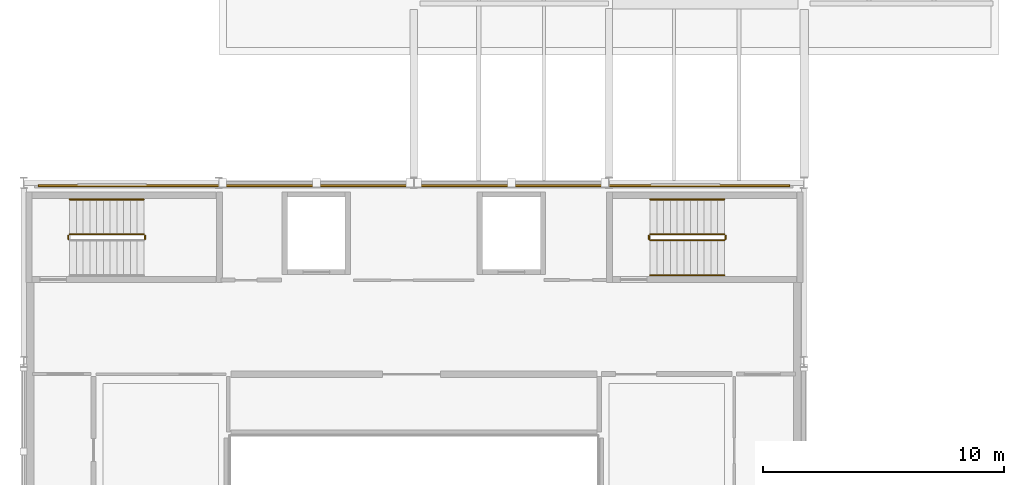
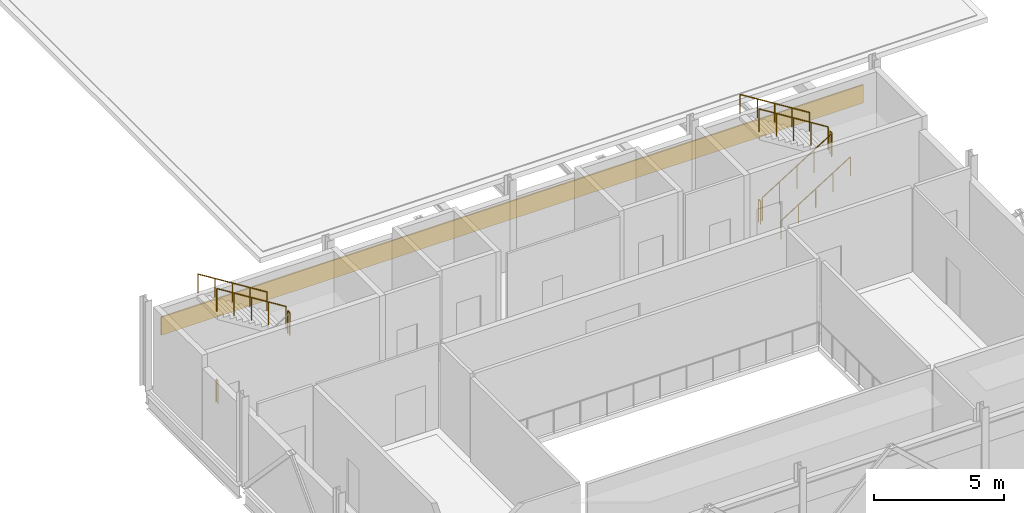
# One storey, part 6 of 7: 10 railings, 1 covering.
"""IFC4 building model written with IfcOpenShell, lengths in metres."""

from ifc_helpers import new_model, si_unit, direction, frame, origin, origin_2d, place, context, subcontext, project, spatial, rectangle, circle, extrude, material, layer, layer_set, type_object, element, save


model = new_model("IFC4")

# Units and contexts
model_context = context("Model", 3, precision=1e-05, world=origin(), true_north=direction((0.0, 1.0)))
body_context = subcontext(model_context, "Body", "Model", "MODEL_VIEW")
ifc_project = project(units=[si_unit("LENGTHUNIT", "METRE"), si_unit("AREAUNIT", "SQUARE_METRE"), si_unit("VOLUMEUNIT", "CUBIC_METRE"), si_unit("PLANEANGLEUNIT", "RADIAN"), si_unit("MASSUNIT", "GRAM", prefix="KILO")], contexts=[model_context])

# Site, building, storey
site_placement = place(None, origin())
site = spatial("IfcSite", under=ifc_project, at=site_placement, CompositionType="ELEMENT")
building_placement = place(site_placement, origin())
building = spatial("IfcBuilding", under=site, at=building_placement, Name="Kaelora Sail Theatre", CompositionType="ELEMENT")
storey_placement = place(building_placement, frame((0.0, 0.0, 23.39990234375)))
storey = spatial("IfcBuildingStorey", under=building, at=storey_placement, Name="L05", CompositionType="ELEMENT", Elevation=23.39990234375)

# Covering
ifc_material_1 = material(Name="Warm terracotta acoustic Postmodern facade entablature", Category="masonry")
ifc_layer = layer(ifc_material_1, 0.06494140625)
ifc_layer_set = layer_set([ifc_layer], Name="Warm terracotta acoustic Postmodern facade entablature")
covering_type = type_object("IfcCoveringType", Name="ARC-COV-TRC", PredefinedType="CLADDING", material=ifc_layer_set)
covering_placement = place(storey_placement, frame((42.0, 83.219970703125, 2.324951171875), z_axis=(0.0, 0.0, 1.0), x_axis=(1.0, 0.0, 0.0)))
element("IfcCovering", 1, at=covering_placement, inside=storey, type_object=covering_type, Name="Fly Tower North Terracotta Frieze Band (L05)", PredefinedType="CLADDING", context=body_context, shape_type="SweptSolid", body=[
    extrude(rectangle(XDim=31.199951171875, YDim=0.06494140625, at=origin_2d()), origin(), (0.0, 0.0, 1.0), 0.85009765625),
])

# Railings
ifc_material_2 = material(Name="Painted steel and laminated safety glass guard", Category="steel")
railing_type_1 = type_object("IfcRailingType", Name="ARC-RL-GRD", PredefinedType="GUARDRAIL", material=ifc_material_2)
railing_1_placement = place(storey_placement, frame((30.840087890625, 81.0, 2.10009765625)))
element("IfcRailing", 2, at=railing_1_placement, inside=storey, type_object=railing_type_1, Name="L05 ST-K1 stair guard 2", PredefinedType="GUARDRAIL", context=body_context, shape_type="SweptSolid", body=[
    extrude(circle(Radius=0.02392578125, at=origin_2d()), frame((0.0, 0.0, 1.076171875), z_axis=(0.0, 1.0, 0.0), x_axis=(-1.0, 0.0, 0.0)), (0.0, 0.0, 1.0), 0.14990234375),
    extrude(circle(Radius=0.02099609375, at=origin_2d()), origin(), (0.0, 0.0, 1.0), 1.052001953125),
    extrude(circle(Radius=0.02099609375, at=origin_2d()), frame((0.0, 0.14990234375, 0.0)), (0.0, 0.0, 1.0), 1.052001953125),
])
railing_2_placement = place(storey_placement, frame((30.7900390625, 81.199951171875, 2.275146484375)))
element("IfcRailing", 3, at=railing_2_placement, inside=storey, type_object=railing_type_1, Name="L05 ST-K1 stair guard 3", PredefinedType="GUARDRAIL", context=body_context, shape_type="SweptSolid", body=[
    extrude(circle(Radius=0.02392578125, at=origin_2d()), frame((0.0, 0.0, 1.076171875), z_axis=(-0.847998304005, 0.0, 0.529998940003), x_axis=(0.0, -1.0, 0.0)), (0.0, 0.0, 1.0), 3.632080078125),
    extrude(circle(Radius=0.02099609375, at=origin_2d()), origin(), (0.0, 0.0, 1.0), 1.052001953125),
    extrude(circle(Radius=0.02099609375, at=origin_2d()), frame((-0.77001953125, 0.0, 0.481201171875)), (0.0, 0.0, 1.0), 1.052001953125),
    extrude(circle(Radius=0.02099609375, at=origin_2d()), frame((-1.5400390625, 0.0, 0.96240234375)), (0.0, 0.0, 1.0), 1.052001953125),
    extrude(circle(Radius=0.02099609375, at=origin_2d()), frame((-2.31005859375, 0.0, 1.44384765625)), (0.0, 0.0, 1.0), 1.052001953125),
    extrude(circle(Radius=0.02099609375, at=origin_2d()), frame((-3.080078125, 0.0, 1.925048828125)), (0.0, 0.0, 1.0), 1.052001953125),
])
railing_3_placement = place(storey_placement, frame((27.659912109375, 81.0, 0.0)))
element("IfcRailing", 4, at=railing_3_placement, inside=storey, type_object=railing_type_1, Name="L05 ST-K1 stair guard 4", PredefinedType="GUARDRAIL", context=body_context, shape_type="SweptSolid", body=[
    extrude(circle(Radius=0.02392578125, at=origin_2d()), frame((0.0, 0.0, 1.076171875), z_axis=(0.0, 1.0, 0.0), x_axis=(-1.0, 0.0, 0.0)), (0.0, 0.0, 1.0), 0.14990234375),
    extrude(circle(Radius=0.02099609375, at=origin_2d()), origin(), (0.0, 0.0, 1.0), 1.052001953125),
    extrude(circle(Radius=0.02099609375, at=origin_2d()), frame((0.0, 0.14990234375, 0.0)), (0.0, 0.0, 1.0), 1.052001953125),
])
railing_4_placement = place(storey_placement, frame((51.81005859375, 80.949951171875, 0.175048828125)))
element("IfcRailing", 5, at=railing_4_placement, inside=storey, type_object=railing_type_1, Name="L05 ST-K5 stair guard 1", PredefinedType="GUARDRAIL", context=body_context, shape_type="SweptSolid", body=[
    extrude(circle(Radius=0.02392578125, at=origin_2d()), frame((0.0, 0.0, 1.076171875), z_axis=(0.847979421464, 0.0, 0.530029150871), x_axis=(0.0, 1.0, 0.0)), (0.0, 0.0, 1.0), 3.632080078125),
    extrude(circle(Radius=0.02099609375, at=origin_2d()), origin(), (0.0, 0.0, 1.0), 1.052001953125),
    extrude(circle(Radius=0.02099609375, at=origin_2d()), frame((0.77001953125, 0.0, 0.481201171875)), (0.0, 0.0, 1.0), 1.052001953125),
    extrude(circle(Radius=0.02099609375, at=origin_2d()), frame((1.5400390625, 0.0, 0.96240234375)), (0.0, 0.0, 1.0), 1.052001953125),
    extrude(circle(Radius=0.02099609375, at=origin_2d()), frame((2.309814453125, 0.0, 1.44384765625)), (0.0, 0.0, 1.0), 1.052001953125),
    extrude(circle(Radius=0.02099609375, at=origin_2d()), frame((3.079833984375, 0.0, 1.925048828125)), (0.0, 0.0, 1.0), 1.052001953125),
])
railing_5_placement = place(storey_placement, frame((54.93994140625, 81.0, 2.10009765625)))
element("IfcRailing", 6, at=railing_5_placement, inside=storey, type_object=railing_type_1, Name="L05 ST-K5 stair guard 2", PredefinedType="GUARDRAIL", context=body_context, shape_type="SweptSolid", body=[
    extrude(circle(Radius=0.02392578125, at=origin_2d()), frame((0.0, 0.0, 1.076171875), z_axis=(0.0, 1.0, 0.0), x_axis=(-1.0, 0.0, 0.0)), (0.0, 0.0, 1.0), 0.14990234375),
    extrude(circle(Radius=0.02099609375, at=origin_2d()), origin(), (0.0, 0.0, 1.0), 1.052001953125),
    extrude(circle(Radius=0.02099609375, at=origin_2d()), frame((0.0, 0.14990234375, 0.0)), (0.0, 0.0, 1.0), 1.052001953125),
])
railing_6_placement = place(storey_placement, frame((54.889892578125, 81.199951171875, 2.275146484375)))
element("IfcRailing", 7, at=railing_6_placement, inside=storey, type_object=railing_type_1, Name="L05 ST-K5 stair guard 3", PredefinedType="GUARDRAIL", context=body_context, shape_type="SweptSolid", body=[
    extrude(circle(Radius=0.02392578125, at=origin_2d()), frame((0.0, 0.0, 1.076171875), z_axis=(-0.847979421464, 0.0, 0.530029150871), x_axis=(0.0, -1.0, 0.0)), (0.0, 0.0, 1.0), 3.632080078125),
    extrude(circle(Radius=0.02099609375, at=origin_2d()), origin(), (0.0, 0.0, 1.0), 1.052001953125),
    extrude(circle(Radius=0.02099609375, at=origin_2d()), frame((-0.77001953125, 0.0, 0.481201171875)), (0.0, 0.0, 1.0), 1.052001953125),
    extrude(circle(Radius=0.02099609375, at=origin_2d()), frame((-1.5400390625, 0.0, 0.96240234375)), (0.0, 0.0, 1.0), 1.052001953125),
    extrude(circle(Radius=0.02099609375, at=origin_2d()), frame((-2.309814453125, 0.0, 1.44384765625)), (0.0, 0.0, 1.0), 1.052001953125),
    extrude(circle(Radius=0.02099609375, at=origin_2d()), frame((-3.079833984375, 0.0, 1.925048828125)), (0.0, 0.0, 1.0), 1.052001953125),
])
railing_7_placement = place(storey_placement, frame((51.760009765625, 81.0, 0.0)))
element("IfcRailing", 8, at=railing_7_placement, inside=storey, type_object=railing_type_1, Name="L05 ST-K5 stair guard 4", PredefinedType="GUARDRAIL", context=body_context, shape_type="SweptSolid", body=[
    extrude(circle(Radius=0.02392578125, at=origin_2d()), frame((0.0, 0.0, 1.076171875), z_axis=(0.0, 1.0, 0.0), x_axis=(-1.0, 0.0, 0.0)), (0.0, 0.0, 1.0), 0.14990234375),
    extrude(circle(Radius=0.02099609375, at=origin_2d()), origin(), (0.0, 0.0, 1.0), 1.052001953125),
    extrude(circle(Radius=0.02099609375, at=origin_2d()), frame((0.0, 0.14990234375, 0.0)), (0.0, 0.0, 1.0), 1.052001953125),
])
ifc_material_3 = material(Name="Brushed stainless steel 316L tubular handrail", Category="steel")
railing_type_2 = type_object("IfcRailingType", Name="ARC-RL-HND", PredefinedType="HANDRAIL", material=ifc_material_3)
railing_8_placement = place(storey_placement, frame((30.7900390625, 82.64990234375, 2.275146484375)))
element("IfcRailing", 9, at=railing_8_placement, inside=storey, type_object=railing_type_2, Name="L05 ST-K1 stair handrail 2", PredefinedType="HANDRAIL", context=body_context, shape_type="SweptSolid", body=[
    extrude(circle(Radius=0.02392578125, at=origin_2d()), frame((0.0, 0.0, 0.8759765625), z_axis=(-0.847998304005, 0.0, 0.529998940003), x_axis=(0.0, -1.0, 0.0)), (0.0, 0.0, 1.0), 3.632080078125),
    extrude(circle(Radius=0.02099609375, at=origin_2d()), origin(), (0.0, 0.0, 1.0), 0.851806640625),
    extrude(circle(Radius=0.02099609375, at=origin_2d()), frame((-0.77001953125, 0.0, 0.481201171875)), (0.0, 0.0, 1.0), 0.851806640625),
    extrude(circle(Radius=0.02099609375, at=origin_2d()), frame((-1.5400390625, 0.0, 0.96240234375)), (0.0, 0.0, 1.0), 0.851806640625),
    extrude(circle(Radius=0.02099609375, at=origin_2d()), frame((-2.31005859375, 0.0, 1.44384765625)), (0.0, 0.0, 1.0), 0.851806640625),
    extrude(circle(Radius=0.02099609375, at=origin_2d()), frame((-3.080078125, 0.0, 1.925048828125)), (0.0, 0.0, 1.0), 0.851806640625),
])
railing_9_placement = place(storey_placement, frame((51.81005859375, 79.5, 0.175048828125)))
element("IfcRailing", 10, at=railing_9_placement, inside=storey, type_object=railing_type_2, Name="L05 ST-K5 stair handrail 1", PredefinedType="HANDRAIL", context=body_context, shape_type="SweptSolid", body=[
    extrude(circle(Radius=0.02392578125, at=origin_2d()), frame((0.0, 0.0, 0.8759765625), z_axis=(0.847979421464, 0.0, 0.530029150871), x_axis=(0.0, 1.0, 0.0)), (0.0, 0.0, 1.0), 3.632080078125),
    extrude(circle(Radius=0.02099609375, at=origin_2d()), origin(), (0.0, 0.0, 1.0), 0.851806640625),
    extrude(circle(Radius=0.02099609375, at=origin_2d()), frame((0.77001953125, 0.0, 0.481201171875)), (0.0, 0.0, 1.0), 0.851806640625),
    extrude(circle(Radius=0.02099609375, at=origin_2d()), frame((1.5400390625, 0.0, 0.96240234375)), (0.0, 0.0, 1.0), 0.851806640625),
    extrude(circle(Radius=0.02099609375, at=origin_2d()), frame((2.309814453125, 0.0, 1.44384765625)), (0.0, 0.0, 1.0), 0.851806640625),
    extrude(circle(Radius=0.02099609375, at=origin_2d()), frame((3.079833984375, 0.0, 1.925048828125)), (0.0, 0.0, 1.0), 0.851806640625),
])
railing_10_placement = place(storey_placement, frame((54.889892578125, 82.64990234375, 2.275146484375)))
element("IfcRailing", 11, at=railing_10_placement, inside=storey, type_object=railing_type_2, Name="L05 ST-K5 stair handrail 2", PredefinedType="HANDRAIL", context=body_context, shape_type="SweptSolid", body=[
    extrude(circle(Radius=0.02392578125, at=origin_2d()), frame((0.0, 0.0, 0.8759765625), z_axis=(-0.847979421464, 0.0, 0.530029150871), x_axis=(0.0, -1.0, 0.0)), (0.0, 0.0, 1.0), 3.632080078125),
    extrude(circle(Radius=0.02099609375, at=origin_2d()), origin(), (0.0, 0.0, 1.0), 0.851806640625),
    extrude(circle(Radius=0.02099609375, at=origin_2d()), frame((-0.77001953125, 0.0, 0.481201171875)), (0.0, 0.0, 1.0), 0.851806640625),
    extrude(circle(Radius=0.02099609375, at=origin_2d()), frame((-1.5400390625, 0.0, 0.96240234375)), (0.0, 0.0, 1.0), 0.851806640625),
    extrude(circle(Radius=0.02099609375, at=origin_2d()), frame((-2.309814453125, 0.0, 1.44384765625)), (0.0, 0.0, 1.0), 0.851806640625),
    extrude(circle(Radius=0.02099609375, at=origin_2d()), frame((-3.079833984375, 0.0, 1.925048828125)), (0.0, 0.0, 1.0), 0.851806640625),
])

save(model, "model.ifc")
